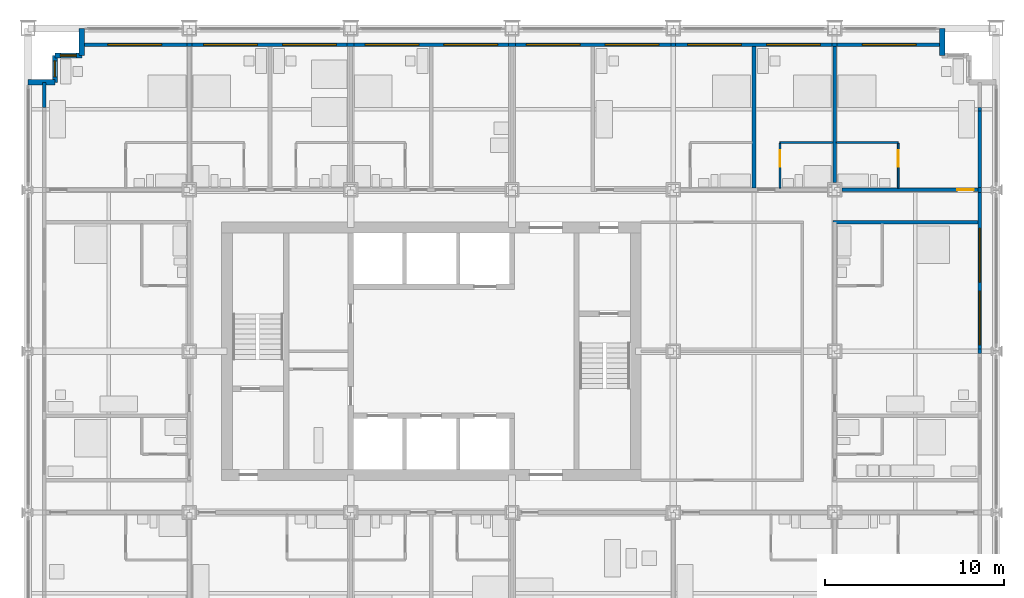
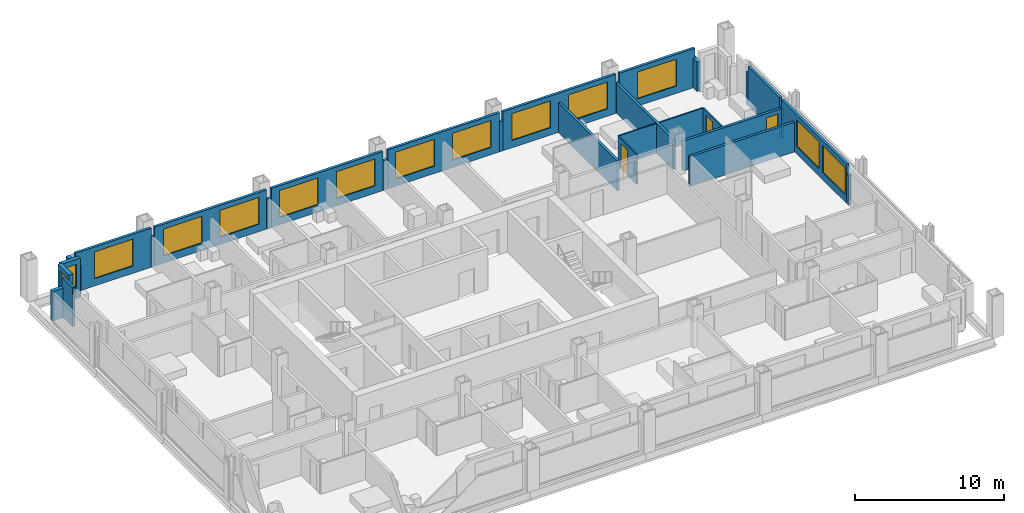
# One storey, part 14 of 18: 30 walls, 14 windows, 3 doors, 17 openings.
"""IFC4 building model written with IfcOpenShell, lengths in metres."""

from ifc_helpers import new_model, si_unit, direction, frame, frame_2d, origin, place, context, subcontext, project, spatial, rectangle, extrude, material, layer, layer_set, type_object, element, fill, save


model = new_model("IFC4")

# Units and contexts
model_context = context("Model", 3, precision=1e-05, world=origin(), true_north=direction((0.0, 1.0)))
body_context = subcontext(model_context, "Body", "Model", "MODEL_VIEW")
ifc_project = project(units=[si_unit("LENGTHUNIT", "METRE"), si_unit("AREAUNIT", "SQUARE_METRE"), si_unit("VOLUMEUNIT", "CUBIC_METRE"), si_unit("PLANEANGLEUNIT", "RADIAN"), si_unit("MASSUNIT", "GRAM", prefix="KILO")], contexts=[model_context])

# Site, building, storey
site_placement = place(None, origin())
site = spatial("IfcSite", under=ifc_project, at=site_placement, CompositionType="ELEMENT")
building_placement = place(site_placement, origin())
building = spatial("IfcBuilding", under=site, at=building_placement, Name="Loomwork Tower", CompositionType="ELEMENT")
storey_placement = place(building_placement, frame((0.0, 0.0, 65.39990234375)))
storey = spatial("IfcBuildingStorey", under=building, at=storey_placement, Name="L16", CompositionType="ELEMENT", Elevation=65.39990234375)

# Wall, opening, door
ifc_material_1 = material(Name="Gypsum board on steel studs, one-hour", Category="steel")
ifc_layer_1 = layer(ifc_material_1, 0.199951171875)
ifc_layer_set_1 = layer_set([ifc_layer_1], Name="Corridor wall 200")
wall_type_1 = type_object("IfcWallType", Name="Corridor wall 200", PredefinedType="PARTITIONING", material=ifc_layer_set_1)
wall_1_placement = place(storey_placement, frame((45.39990234375, 27.0, 0.0), z_axis=(0.0, 0.0, 1.0), x_axis=(1.0, 0.0, 0.0)))
wall_1 = element("IfcWall", 1, at=wall_1_placement, inside=storey, type_object=wall_type_1, Name="North corridor wall 6", PredefinedType="PARTITIONING", context=body_context, shape_type="SweptSolid", body=[
    extrude(rectangle(XDim=7.60009765625, YDim=0.199951171875, at=frame_2d((3.800048828125, 0.0))), origin(), (0.0, 0.0, 1.0), 2.43798828125),
])
opening_1_placement = place(wall_1_placement, frame((6.449951171875, 0.0, 0.0)))
opening_1 = element("IfcOpeningElement", 2, at=opening_1_placement, cuts=wall_1, Name="Opening D1", PredefinedType="OPENING", context=body_context, shape_type="SweptSolid", body=[
    extrude(rectangle(XDim=0.89990234375, YDim=2.10009765625, at=frame_2d((0.449951171875, 1.050048828125))), frame((0.0, 0.10986328125, 0.0), z_axis=(0.0, -1.0, 0.0), x_axis=(1.0, 0.0, 0.0)), (0.0, 0.0, 1.0), 0.219970703125),
])
ifc_material_2 = material(Name="Hollow metal door and frame")
door_type_1 = type_object("IfcDoorType", Name="Guest room entry door 900", OperationType="SINGLE_SWING_LEFT", PredefinedType="DOOR", material=ifc_material_2)
door_1_placement = place(opening_1_placement, origin())
door_1 = element("IfcDoor", 3, at=door_1_placement, inside=storey, type_object=door_type_1, Name="Guest room entry door L16 15", OperationType="SINGLE_SWING_RIGHT", OverallHeight=2.10009765625, OverallWidth=0.89990234375, PredefinedType="DOOR", context=body_context, shape_type="SweptSolid", body=[
    extrude(rectangle(XDim=0.89990234375, YDim=2.10009765625, at=frame_2d((0.449951171875, 1.050048828125))), frame((0.0, 0.02490234375, 0.0), z_axis=(0.0, -1.0, 0.0), x_axis=(1.0, 0.0, 0.0)), (0.0, 0.0, 1.0), 0.050048828125),
])
fill(opening_1, door_1)

# Walls
wall_2_placement = place(storey_placement, frame((44.89990234375, 25.199951171875, 0.0), z_axis=(0.0, 0.0, 1.0), x_axis=(1.0, 0.0, 0.0)))
element("IfcWall", 4, at=wall_2_placement, inside=storey, type_object=wall_type_1, Name="East band end wall N", PredefinedType="PARTITIONING", context=body_context, shape_type="SweptSolid", body=[
    extrude(rectangle(XDim=8.10009765625, YDim=0.199951171875, at=frame_2d((4.050048828125, 0.0))), origin(), (0.0, 0.0, 1.0), 2.43798828125),
])
ifc_material_3 = material(Name="Cement board on steel studs", Category="steel")
ifc_layer_2 = layer(ifc_material_3, 0.10009765625)
ifc_layer_set_2 = layer_set([ifc_layer_2], Name="En-suite partition 100")
wall_type_2 = type_object("IfcWallType", Name="En-suite partition 100", PredefinedType="PARTITIONING", material=ifc_layer_set_2)
wall_3_placement = place(storey_placement, frame((41.949951171875, 29.64990234375, 0.0), z_axis=(0.0, 0.0, 1.0), x_axis=(1.0, 0.0, 0.0)))
element("IfcWall", 5, at=wall_3_placement, inside=storey, type_object=wall_type_2, Name="En-suite wall L16 room 14", PredefinedType="PARTITIONING", context=body_context, shape_type="SweptSolid", body=[
    extrude(rectangle(XDim=2.949951171875, YDim=0.10009765625, at=frame_2d((1.47509765625, 0.0))), origin(), (0.0, 0.0, 1.0), 2.43798828125),
])

# Wall, opening, door
wall_4_placement = place(storey_placement, frame((41.949951171875, 27.10009765625, 0.0), z_axis=(0.0, 0.0, 1.0), x_axis=(0.0, 1.0, 0.0)))
wall_4 = element("IfcWall", 6, at=wall_4_placement, inside=storey, type_object=wall_type_2, Name="En-suite side wall L16 room 14", PredefinedType="PARTITIONING", context=body_context, shape_type="SweptSolid", body=[
    extrude(rectangle(XDim=2.5, YDim=0.10009765625, at=frame_2d((1.25, 0.0))), origin(), (0.0, 0.0, 1.0), 2.43798828125),
])
opening_2_placement = place(wall_4_placement, frame((1.199951171875, 0.0, 0.0)))
opening_2 = element("IfcOpeningElement", 7, at=opening_2_placement, cuts=wall_4, Name="Opening D3", PredefinedType="OPENING", context=body_context, shape_type="SweptSolid", body=[
    extrude(rectangle(XDim=0.89990234375, YDim=2.10009765625, at=frame_2d((0.449951171875, 1.050048828125))), frame((0.0, 0.06005859375, 0.0), z_axis=(0.0, -1.0, 0.0), x_axis=(1.0, 0.0, 0.0)), (0.0, 0.0, 1.0), 0.1201171875),
])
ifc_material_4 = material(Name="Hollow metal door and frame")
door_type_2 = type_object("IfcDoorType", Name="Accessible en-suite door 900", OperationType="SLIDING_TO_LEFT", PredefinedType="DOOR", material=ifc_material_4)
door_2_placement = place(opening_2_placement, origin())
door_2 = element("IfcDoor", 8, at=door_2_placement, inside=storey, type_object=door_type_2, Name="Accessible en-suite door room 14", OperationType="SLIDING_TO_LEFT", OverallHeight=2.10009765625, OverallWidth=0.89990234375, PredefinedType="DOOR", context=body_context, shape_type="SweptSolid", body=[
    extrude(rectangle(XDim=0.89990234375, YDim=2.10009765625, at=frame_2d((0.449951171875, 1.050048828125))), frame((0.0, 0.02490234375, 0.0), z_axis=(0.0, -1.0, 0.0), x_axis=(1.0, 0.0, 0.0)), (0.0, 0.0, 1.0), 0.050048828125),
])
fill(opening_2, door_2)

# Wall
wall_5_placement = place(storey_placement, frame((45.10009765625, 29.64990234375, 0.0), z_axis=(0.0, 0.0, 1.0), x_axis=(1.0, 0.0, 0.0)))
element("IfcWall", 9, at=wall_5_placement, inside=storey, type_object=wall_type_2, Name="En-suite wall L16 room 15", PredefinedType="PARTITIONING", context=body_context, shape_type="SweptSolid", body=[
    extrude(rectangle(XDim=3.449951171875, YDim=0.10009765625, at=frame_2d((1.72509765625, 0.0))), origin(), (0.0, 0.0, 1.0), 2.43798828125),
])

# Wall, opening, door
wall_6_placement = place(storey_placement, frame((48.550048828125, 27.10009765625, 0.0), z_axis=(0.0, 0.0, 1.0), x_axis=(0.0, 1.0, 0.0)))
wall_6 = element("IfcWall", 10, at=wall_6_placement, inside=storey, type_object=wall_type_2, Name="En-suite side wall L16 room 15", PredefinedType="PARTITIONING", context=body_context, shape_type="SweptSolid", body=[
    extrude(rectangle(XDim=2.5, YDim=0.10009765625, at=frame_2d((1.25, 0.0))), origin(), (0.0, 0.0, 1.0), 2.43798828125),
])
opening_3_placement = place(wall_6_placement, frame((1.199951171875, 0.0, 0.0)))
opening_3 = element("IfcOpeningElement", 11, at=opening_3_placement, cuts=wall_6, Name="Opening D2", PredefinedType="OPENING", context=body_context, shape_type="SweptSolid", body=[
    extrude(rectangle(XDim=0.89990234375, YDim=2.10009765625, at=frame_2d((0.449951171875, 1.050048828125))), frame((0.0, 0.06005859375, 0.0), z_axis=(0.0, -1.0, 0.0), x_axis=(1.0, 0.0, 0.0)), (0.0, 0.0, 1.0), 0.1201171875),
])
ifc_material_5 = material(Name="Hollow metal door and frame")
door_type_3 = type_object("IfcDoorType", Name="En-suite door 900", OperationType="SINGLE_SWING_LEFT", PredefinedType="DOOR", material=ifc_material_5)
door_3_placement = place(opening_3_placement, origin())
door_3 = element("IfcDoor", 12, at=door_3_placement, inside=storey, type_object=door_type_3, Name="En-suite door room 15", OperationType="SINGLE_SWING_RIGHT", OverallHeight=2.10009765625, OverallWidth=0.89990234375, PredefinedType="DOOR", context=body_context, shape_type="SweptSolid", body=[
    extrude(rectangle(XDim=0.89990234375, YDim=2.10009765625, at=frame_2d((0.449951171875, 1.050048828125))), frame((0.0, 0.02490234375, 0.0), z_axis=(0.0, -1.0, 0.0), x_axis=(1.0, 0.0, 0.0)), (0.0, 0.0, 1.0), 0.050048828125),
])
fill(opening_3, door_3)

# Walls
ifc_material_6 = material(Name="Gypsum board on steel studs, acoustic", Category="steel")
ifc_layer_3 = layer(ifc_material_6, 0.199951171875)
ifc_layer_set_3 = layer_set([ifc_layer_3], Name="Guest room party wall 200")
wall_type_3 = type_object("IfcWallType", Name="Guest room party wall 200", PredefinedType="PARTITIONING", material=ifc_layer_set_3)
wall_7_placement = place(storey_placement, frame((40.5, 27.10009765625, 0.0), z_axis=(0.0, 0.0, 1.0), x_axis=(0.0, 1.0, 0.0)))
element("IfcWall", 13, at=wall_7_placement, inside=storey, type_object=wall_type_3, Name="Guest room party wall N 40.5", PredefinedType="PARTITIONING", context=body_context, shape_type="SweptSolid", body=[
    extrude(rectangle(XDim=7.89990234375, YDim=0.199951171875, at=frame_2d((3.949951171875, 0.0))), origin(), (0.0, 0.0, 1.0), 2.43798828125),
])
wall_8_placement = place(storey_placement, frame((45.0, 27.39990234375, 0.0), z_axis=(0.0, 0.0, 1.0), x_axis=(0.0, 1.0, 0.0)))
element("IfcWall", 14, at=wall_8_placement, inside=storey, type_object=wall_type_3, Name="Guest room party wall N 45", PredefinedType="PARTITIONING", context=body_context, shape_type="SweptSolid", body=[
    extrude(rectangle(XDim=7.60009765625, YDim=0.199951171875, at=frame_2d((3.800048828125, 0.0))), origin(), (0.0, 0.0, 1.0), 2.43798828125),
])

# Wall, opening, window
ifc_material_7 = material(Name="Insulated steel stud wall with gypsum lining", Category="steel")
ifc_layer_4 = layer(ifc_material_7, 0.199951171875)
ifc_layer_set_4 = layer_set([ifc_layer_4], Name="Inner skin wall 200")
wall_type_4 = type_object("IfcWallType", Name="Inner skin wall 200", PredefinedType="SOLIDWALL", material=ifc_layer_set_4)
wall_9_placement = place(storey_placement, frame((3.0, 35.10009765625, 0.0), z_axis=(0.0, 0.0, 1.0), x_axis=(1.0, 0.0, 0.0)))
wall_9 = element("IfcWall", 15, at=wall_9_placement, inside=storey, type_object=wall_type_4, Name="Inner skin wall N", PredefinedType="SOLIDWALL", context=body_context, shape_type="SweptSolid", body=[
    extrude(rectangle(XDim=5.86474609375, YDim=0.199951171875, at=frame_2d((2.932373046875, 0.0))), origin(), (0.0, 0.0, 1.0), 3.2001953125),
])
opening_4_placement = place(wall_9_placement, frame((1.449951171875, 0.0, 0.60009765625)))
opening_4 = element("IfcOpeningElement", 16, at=opening_4_placement, cuts=wall_9, Name="Opening CH1", PredefinedType="OPENING", context=body_context, shape_type="SweptSolid", body=[
    extrude(rectangle(XDim=3.0, YDim=2.199951171875, at=frame_2d((1.5, 1.10009765625))), frame((0.0, 0.10986328125, 0.0), z_axis=(0.0, -1.0, 0.0), x_axis=(1.0, 0.0, 0.0)), (0.0, 0.0, 1.0), 0.219970703125),
])
ifc_material_8 = material(Name="Aluminium frame with clear insulated glass", Category="aluminium")
window_type_1 = type_object("IfcWindowType", Name="Chicago window 3000", PartitioningType="TRIPLE_PANEL_VERTICAL", PredefinedType="WINDOW", material=ifc_material_8)
window_1_placement = place(opening_4_placement, origin())
window_1 = element("IfcWindow", 17, at=window_1_placement, inside=storey, type_object=window_type_1, Name="Chicago window L16 bay 7", OverallHeight=2.199951171875, OverallWidth=3.0, PartitioningType="TRIPLE_PANEL_VERTICAL", PredefinedType="WINDOW", context=body_context, shape_type="SweptSolid", body=[
    extrude(rectangle(XDim=3.0, YDim=2.199951171875, at=frame_2d((1.5, 1.10009765625))), frame((0.0, 0.030029296875, 0.0), z_axis=(0.0, -1.0, 0.0), x_axis=(1.0, 0.0, 0.0)), (0.0, 0.0, 1.0), 0.06005859375),
])
fill(opening_4, window_1)

# Walls
wall_10_placement = place(storey_placement, frame((0.89990234375, 31.607421875, 0.0), z_axis=(0.0, 0.0, 1.0), x_axis=(0.0, 1.0, 0.0)))
element("IfcWall", 18, at=wall_10_placement, inside=storey, type_object=wall_type_4, Name="Inner skin wall W bay 11", PredefinedType="SOLIDWALL", context=body_context, shape_type="SweptSolid", body=[
    extrude(rectangle(XDim=1.392578125, YDim=0.199951171875, at=frame_2d((0.6962890625, 0.0))), origin(), (0.0, 0.0, 1.0), 3.2001953125),
])
wall_11_placement = place(storey_placement, frame((8.86474609375, 35.10009765625, 0.0), z_axis=(0.0, 0.0, 1.0), x_axis=(1.0, 0.0, 0.0)))
element("IfcWall", 19, at=wall_11_placement, inside=storey, type_object=wall_type_4, Name="Inner skin wall N bay 2", PredefinedType="SOLIDWALL", context=body_context, shape_type="SweptSolid", body=[
    extrude(rectangle(XDim=0.2705078125, YDim=0.199951171875, at=frame_2d((0.13525390625, 0.0))), origin(), (0.0, 0.0, 1.0), 2.43798828125),
])

# Wall, openings, windows
wall_12_placement = place(storey_placement, frame((9.13525390625, 35.10009765625, 0.0), z_axis=(0.0, 0.0, 1.0), x_axis=(1.0, 0.0, 0.0)))
wall_12 = element("IfcWall", 20, at=wall_12_placement, inside=storey, type_object=wall_type_4, Name="Inner skin wall N bay 3", PredefinedType="SOLIDWALL", context=body_context, shape_type="SweptSolid", body=[
    extrude(rectangle(XDim=8.6708984375, YDim=0.199951171875, at=frame_2d((4.33544921875, 0.0))), origin(), (0.0, 0.0, 1.0), 3.2001953125),
])
opening_5_placement = place(wall_12_placement, frame((0.664794921875, 0.0, 0.60009765625)))
opening_5 = element("IfcOpeningElement", 21, at=opening_5_placement, cuts=wall_12, Name="Opening CH1", PredefinedType="OPENING", context=body_context, shape_type="SweptSolid", body=[
    extrude(rectangle(XDim=3.0, YDim=2.199951171875, at=frame_2d((1.5, 1.10009765625))), frame((0.0, 0.10986328125, 0.0), z_axis=(0.0, -1.0, 0.0), x_axis=(1.0, 0.0, 0.0)), (0.0, 0.0, 1.0), 0.219970703125),
])
opening_6_placement = place(wall_12_placement, frame((5.064697265625, 0.0, 0.60009765625)))
opening_6 = element("IfcOpeningElement", 22, at=opening_6_placement, cuts=wall_12, Name="Opening CH1", PredefinedType="OPENING", context=body_context, shape_type="SweptSolid", body=[
    extrude(rectangle(XDim=3.0, YDim=2.199951171875, at=frame_2d((1.5, 1.10009765625))), frame((0.0, 0.10986328125, 0.0), z_axis=(0.0, -1.0, 0.0), x_axis=(1.0, 0.0, 0.0)), (0.0, 0.0, 1.0), 0.219970703125),
])
window_2_placement = place(opening_5_placement, origin())
window_2 = element("IfcWindow", 23, at=window_2_placement, inside=storey, type_object=window_type_1, Name="Chicago window L16 bay 8", OverallHeight=2.199951171875, OverallWidth=3.0, PartitioningType="TRIPLE_PANEL_VERTICAL", PredefinedType="WINDOW", context=body_context, shape_type="SweptSolid", body=[
    extrude(rectangle(XDim=3.0, YDim=2.199951171875, at=frame_2d((1.5, 1.10009765625))), frame((0.0, 0.030029296875, 0.0), z_axis=(0.0, -1.0, 0.0), x_axis=(1.0, 0.0, 0.0)), (0.0, 0.0, 1.0), 0.06005859375),
])
fill(opening_5, window_2)
window_3_placement = place(opening_6_placement, origin())
window_3 = element("IfcWindow", 24, at=window_3_placement, inside=storey, type_object=window_type_1, Name="Chicago window L16 bay 8", OverallHeight=2.199951171875, OverallWidth=3.0, PartitioningType="TRIPLE_PANEL_VERTICAL", PredefinedType="WINDOW", context=body_context, shape_type="SweptSolid", body=[
    extrude(rectangle(XDim=3.0, YDim=2.199951171875, at=frame_2d((1.5, 1.10009765625))), frame((0.0, 0.030029296875, 0.0), z_axis=(0.0, -1.0, 0.0), x_axis=(1.0, 0.0, 0.0)), (0.0, 0.0, 1.0), 0.06005859375),
])
fill(opening_6, window_3)

# Wall
wall_13_placement = place(storey_placement, frame((17.80615234375, 35.10009765625, 0.0), z_axis=(0.0, 0.0, 1.0), x_axis=(1.0, 0.0, 0.0)))
element("IfcWall", 25, at=wall_13_placement, inside=storey, type_object=wall_type_4, Name="Inner skin wall N bay 4", PredefinedType="SOLIDWALL", context=body_context, shape_type="SweptSolid", body=[
    extrude(rectangle(XDim=0.3876953125, YDim=0.199951171875, at=frame_2d((0.19384765625, 0.0))), origin(), (0.0, 0.0, 1.0), 2.404052734375),
])

# Wall, openings, windows
wall_14_placement = place(storey_placement, frame((18.19384765625, 35.10009765625, 0.0), z_axis=(0.0, 0.0, 1.0), x_axis=(1.0, 0.0, 0.0)))
wall_14 = element("IfcWall", 26, at=wall_14_placement, inside=storey, type_object=wall_type_4, Name="Inner skin wall N bay 5", PredefinedType="SOLIDWALL", context=body_context, shape_type="SweptSolid", body=[
    extrude(rectangle(XDim=8.6123046875, YDim=0.199951171875, at=frame_2d((4.30615234375, 0.0))), origin(), (0.0, 0.0, 1.0), 3.2001953125),
])
opening_7_placement = place(wall_14_placement, frame((0.606201171875, 0.0, 0.60009765625)))
opening_7 = element("IfcOpeningElement", 27, at=opening_7_placement, cuts=wall_14, Name="Opening CH1", PredefinedType="OPENING", context=body_context, shape_type="SweptSolid", body=[
    extrude(rectangle(XDim=3.0, YDim=2.199951171875, at=frame_2d((1.5, 1.10009765625))), frame((0.0, 0.10986328125, 0.0), z_axis=(0.0, -1.0, 0.0), x_axis=(1.0, 0.0, 0.0)), (0.0, 0.0, 1.0), 0.219970703125),
])
opening_8_placement = place(wall_14_placement, frame((5.006103515625, 0.0, 0.60009765625)))
opening_8 = element("IfcOpeningElement", 28, at=opening_8_placement, cuts=wall_14, Name="Opening CH1", PredefinedType="OPENING", context=body_context, shape_type="SweptSolid", body=[
    extrude(rectangle(XDim=3.0, YDim=2.199951171875, at=frame_2d((1.5, 1.10009765625))), frame((0.0, 0.10986328125, 0.0), z_axis=(0.0, -1.0, 0.0), x_axis=(1.0, 0.0, 0.0)), (0.0, 0.0, 1.0), 0.219970703125),
])
window_4_placement = place(opening_7_placement, origin())
window_4 = element("IfcWindow", 29, at=window_4_placement, inside=storey, type_object=window_type_1, Name="Chicago window L16 bay 9", OverallHeight=2.199951171875, OverallWidth=3.0, PartitioningType="TRIPLE_PANEL_VERTICAL", PredefinedType="WINDOW", context=body_context, shape_type="SweptSolid", body=[
    extrude(rectangle(XDim=3.0, YDim=2.199951171875, at=frame_2d((1.5, 1.10009765625))), frame((0.0, 0.030029296875, 0.0), z_axis=(0.0, -1.0, 0.0), x_axis=(1.0, 0.0, 0.0)), (0.0, 0.0, 1.0), 0.06005859375),
])
fill(opening_7, window_4)
window_5_placement = place(opening_8_placement, origin())
window_5 = element("IfcWindow", 30, at=window_5_placement, inside=storey, type_object=window_type_1, Name="Chicago window L16 bay 9", OverallHeight=2.199951171875, OverallWidth=3.0, PartitioningType="TRIPLE_PANEL_VERTICAL", PredefinedType="WINDOW", context=body_context, shape_type="SweptSolid", body=[
    extrude(rectangle(XDim=3.0, YDim=2.199951171875, at=frame_2d((1.5, 1.10009765625))), frame((0.0, 0.030029296875, 0.0), z_axis=(0.0, -1.0, 0.0), x_axis=(1.0, 0.0, 0.0)), (0.0, 0.0, 1.0), 0.06005859375),
])
fill(opening_8, window_5)

# Wall
wall_15_placement = place(storey_placement, frame((26.80615234375, 35.10009765625, 0.0), z_axis=(0.0, 0.0, 1.0), x_axis=(1.0, 0.0, 0.0)))
element("IfcWall", 31, at=wall_15_placement, inside=storey, type_object=wall_type_4, Name="Inner skin wall N bay 6", PredefinedType="SOLIDWALL", context=body_context, shape_type="SweptSolid", body=[
    extrude(rectangle(XDim=0.3876953125, YDim=0.199951171875, at=frame_2d((0.19384765625, 0.0))), origin(), (0.0, 0.0, 1.0), 2.404052734375),
])

# Wall, openings, windows
wall_16_placement = place(storey_placement, frame((27.19384765625, 35.10009765625, 0.0), z_axis=(0.0, 0.0, 1.0), x_axis=(1.0, 0.0, 0.0)))
wall_16 = element("IfcWall", 32, at=wall_16_placement, inside=storey, type_object=wall_type_4, Name="Inner skin wall N bay 7", PredefinedType="SOLIDWALL", context=body_context, shape_type="SweptSolid", body=[
    extrude(rectangle(XDim=8.670654296875, YDim=0.199951171875, at=frame_2d((4.33544921875, 0.0))), origin(), (0.0, 0.0, 1.0), 3.2001953125),
])
opening_9_placement = place(wall_16_placement, frame((0.606201171875, 0.0, 0.60009765625)))
opening_9 = element("IfcOpeningElement", 33, at=opening_9_placement, cuts=wall_16, Name="Opening CH1", PredefinedType="OPENING", context=body_context, shape_type="SweptSolid", body=[
    extrude(rectangle(XDim=3.0, YDim=2.199951171875, at=frame_2d((1.5, 1.10009765625))), frame((0.0, 0.10986328125, 0.0), z_axis=(0.0, -1.0, 0.0), x_axis=(1.0, 0.0, 0.0)), (0.0, 0.0, 1.0), 0.219970703125),
])
opening_10_placement = place(wall_16_placement, frame((5.006103515625, 0.0, 0.60009765625)))
opening_10 = element("IfcOpeningElement", 34, at=opening_10_placement, cuts=wall_16, Name="Opening CH1", PredefinedType="OPENING", context=body_context, shape_type="SweptSolid", body=[
    extrude(rectangle(XDim=3.0, YDim=2.199951171875, at=frame_2d((1.5, 1.10009765625))), frame((0.0, 0.10986328125, 0.0), z_axis=(0.0, -1.0, 0.0), x_axis=(1.0, 0.0, 0.0)), (0.0, 0.0, 1.0), 0.219970703125),
])
window_6_placement = place(opening_9_placement, origin())
window_6 = element("IfcWindow", 35, at=window_6_placement, inside=storey, type_object=window_type_1, Name="Chicago window L16 bay 10", OverallHeight=2.199951171875, OverallWidth=3.0, PartitioningType="TRIPLE_PANEL_VERTICAL", PredefinedType="WINDOW", context=body_context, shape_type="SweptSolid", body=[
    extrude(rectangle(XDim=3.0, YDim=2.199951171875, at=frame_2d((1.5, 1.10009765625))), frame((0.0, 0.030029296875, 0.0), z_axis=(0.0, -1.0, 0.0), x_axis=(1.0, 0.0, 0.0)), (0.0, 0.0, 1.0), 0.06005859375),
])
fill(opening_9, window_6)
window_7_placement = place(opening_10_placement, origin())
window_7 = element("IfcWindow", 36, at=window_7_placement, inside=storey, type_object=window_type_1, Name="Chicago window L16 bay 10", OverallHeight=2.199951171875, OverallWidth=3.0, PartitioningType="TRIPLE_PANEL_VERTICAL", PredefinedType="WINDOW", context=body_context, shape_type="SweptSolid", body=[
    extrude(rectangle(XDim=3.0, YDim=2.199951171875, at=frame_2d((1.5, 1.10009765625))), frame((0.0, 0.030029296875, 0.0), z_axis=(0.0, -1.0, 0.0), x_axis=(1.0, 0.0, 0.0)), (0.0, 0.0, 1.0), 0.06005859375),
])
fill(opening_10, window_7)

# Wall
wall_17_placement = place(storey_placement, frame((35.864501953125, 35.10009765625, 0.0), z_axis=(0.0, 0.0, 1.0), x_axis=(1.0, 0.0, 0.0)))
element("IfcWall", 37, at=wall_17_placement, inside=storey, type_object=wall_type_4, Name="Inner skin wall N bay 8", PredefinedType="SOLIDWALL", context=body_context, shape_type="SweptSolid", body=[
    extrude(rectangle(XDim=0.27099609375, YDim=0.199951171875, at=frame_2d((0.135498046875, 0.0))), origin(), (0.0, 0.0, 1.0), 2.43798828125),
])

# Wall, openings, windows
wall_18_placement = place(storey_placement, frame((36.135498046875, 35.10009765625, 0.0), z_axis=(0.0, 0.0, 1.0), x_axis=(1.0, 0.0, 0.0)))
wall_18 = element("IfcWall", 38, at=wall_18_placement, inside=storey, type_object=wall_type_4, Name="Inner skin wall N bay 9", PredefinedType="SOLIDWALL", context=body_context, shape_type="SweptSolid", body=[
    extrude(rectangle(XDim=8.72900390625, YDim=0.199951171875, at=frame_2d((4.364501953125, 0.0))), origin(), (0.0, 0.0, 1.0), 3.2001953125),
])
opening_11_placement = place(wall_18_placement, frame((0.66455078125, 0.0, 0.60009765625)))
opening_11 = element("IfcOpeningElement", 39, at=opening_11_placement, cuts=wall_18, Name="Opening CH1", PredefinedType="OPENING", context=body_context, shape_type="SweptSolid", body=[
    extrude(rectangle(XDim=3.0, YDim=2.199951171875, at=frame_2d((1.5, 1.10009765625))), frame((0.0, 0.10986328125, 0.0), z_axis=(0.0, -1.0, 0.0), x_axis=(1.0, 0.0, 0.0)), (0.0, 0.0, 1.0), 0.219970703125),
])
opening_12_placement = place(wall_18_placement, frame((5.064697265625, 0.0, 0.60009765625)))
opening_12 = element("IfcOpeningElement", 40, at=opening_12_placement, cuts=wall_18, Name="Opening CH1", PredefinedType="OPENING", context=body_context, shape_type="SweptSolid", body=[
    extrude(rectangle(XDim=3.0, YDim=2.199951171875, at=frame_2d((1.5, 1.10009765625))), frame((0.0, 0.10986328125, 0.0), z_axis=(0.0, -1.0, 0.0), x_axis=(1.0, 0.0, 0.0)), (0.0, 0.0, 1.0), 0.219970703125),
])
window_8_placement = place(opening_11_placement, origin())
window_8 = element("IfcWindow", 41, at=window_8_placement, inside=storey, type_object=window_type_1, Name="Chicago window L16 bay 11", OverallHeight=2.199951171875, OverallWidth=3.0, PartitioningType="TRIPLE_PANEL_VERTICAL", PredefinedType="WINDOW", context=body_context, shape_type="SweptSolid", body=[
    extrude(rectangle(XDim=3.0, YDim=2.199951171875, at=frame_2d((1.5, 1.10009765625))), frame((0.0, 0.030029296875, 0.0), z_axis=(0.0, -1.0, 0.0), x_axis=(1.0, 0.0, 0.0)), (0.0, 0.0, 1.0), 0.06005859375),
])
fill(opening_11, window_8)
window_9_placement = place(opening_12_placement, origin())
window_9 = element("IfcWindow", 42, at=window_9_placement, inside=storey, type_object=window_type_1, Name="Chicago window L16 bay 11", OverallHeight=2.199951171875, OverallWidth=3.0, PartitioningType="TRIPLE_PANEL_VERTICAL", PredefinedType="WINDOW", context=body_context, shape_type="SweptSolid", body=[
    extrude(rectangle(XDim=3.0, YDim=2.199951171875, at=frame_2d((1.5, 1.10009765625))), frame((0.0, 0.030029296875, 0.0), z_axis=(0.0, -1.0, 0.0), x_axis=(1.0, 0.0, 0.0)), (0.0, 0.0, 1.0), 0.06005859375),
])
fill(opening_12, window_9)

# Wall
wall_19_placement = place(storey_placement, frame((44.864501953125, 35.10009765625, 0.0), z_axis=(0.0, 0.0, 1.0), x_axis=(1.0, 0.0, 0.0)))
element("IfcWall", 43, at=wall_19_placement, inside=storey, type_object=wall_type_4, Name="Inner skin wall N bay 10", PredefinedType="SOLIDWALL", context=body_context, shape_type="SweptSolid", body=[
    extrude(rectangle(XDim=0.27099609375, YDim=0.199951171875, at=frame_2d((0.135498046875, 0.0))), origin(), (0.0, 0.0, 1.0), 2.43798828125),
])

# Wall, opening, window
wall_20_placement = place(storey_placement, frame((45.135498046875, 35.10009765625, 0.0), z_axis=(0.0, 0.0, 1.0), x_axis=(1.0, 0.0, 0.0)))
wall_20 = element("IfcWall", 44, at=wall_20_placement, inside=storey, type_object=wall_type_4, Name="Inner skin wall N bay 11", PredefinedType="SOLIDWALL", context=body_context, shape_type="SweptSolid", body=[
    extrude(rectangle(XDim=5.864501953125, YDim=0.199951171875, at=frame_2d((2.93212890625, 0.0))), origin(), (0.0, 0.0, 1.0), 3.2001953125),
])
opening_13_placement = place(wall_20_placement, frame((1.41455078125, 0.0, 0.60009765625)))
opening_13 = element("IfcOpeningElement", 45, at=opening_13_placement, cuts=wall_20, Name="Opening CH1", PredefinedType="OPENING", context=body_context, shape_type="SweptSolid", body=[
    extrude(rectangle(XDim=3.0, YDim=2.199951171875, at=frame_2d((1.5, 1.10009765625))), frame((0.0, 0.10986328125, 0.0), z_axis=(0.0, -1.0, 0.0), x_axis=(1.0, 0.0, 0.0)), (0.0, 0.0, 1.0), 0.219970703125),
])
window_10_placement = place(opening_13_placement, origin())
window_10 = element("IfcWindow", 46, at=window_10_placement, inside=storey, type_object=window_type_1, Name="Chicago window L16 bay 12", OverallHeight=2.199951171875, OverallWidth=3.0, PartitioningType="TRIPLE_PANEL_VERTICAL", PredefinedType="WINDOW", context=body_context, shape_type="SweptSolid", body=[
    extrude(rectangle(XDim=3.0, YDim=2.199951171875, at=frame_2d((1.5, 1.10009765625))), frame((0.0, 0.030029296875, 0.0), z_axis=(0.0, -1.0, 0.0), x_axis=(1.0, 0.0, 0.0)), (0.0, 0.0, 1.0), 0.06005859375),
])
fill(opening_13, window_10)

# Wall
wall_21_placement = place(storey_placement, frame((53.10009765625, 17.864501953125, 0.0), z_axis=(0.0, 0.0, 1.0), x_axis=(0.0, 1.0, 0.0)))
element("IfcWall", 47, at=wall_21_placement, inside=storey, type_object=wall_type_4, Name="Inner skin wall E bay 6", PredefinedType="SOLIDWALL", context=body_context, shape_type="SweptSolid", body=[
    extrude(rectangle(XDim=0.27099609375, YDim=0.199951171875, at=frame_2d((0.135498046875, 0.0))), origin(), (0.0, 0.0, 1.0), 2.43798828125),
])

# Wall, openings, windows
wall_22_placement = place(storey_placement, frame((53.10009765625, 18.135498046875, 0.0), z_axis=(0.0, 0.0, 1.0), x_axis=(0.0, 1.0, 0.0)))
wall_22 = element("IfcWall", 48, at=wall_22_placement, inside=storey, type_object=wall_type_4, Name="Inner skin wall E bay 7", PredefinedType="SOLIDWALL", context=body_context, shape_type="SweptSolid", body=[
    extrude(rectangle(XDim=8.729248046875, YDim=0.199951171875, at=frame_2d((4.36474609375, 0.0))), origin(), (0.0, 0.0, 1.0), 3.2001953125),
])
opening_14_placement = place(wall_22_placement, frame((0.214599609375, 0.0, 0.60009765625)))
opening_14 = element("IfcOpeningElement", 49, at=opening_14_placement, cuts=wall_22, Name="Opening CH1", PredefinedType="OPENING", context=body_context, shape_type="SweptSolid", body=[
    extrude(rectangle(XDim=3.0, YDim=2.199951171875, at=frame_2d((1.5, 1.10009765625))), frame((0.0, 0.10986328125, 0.0), z_axis=(0.0, -1.0, 0.0), x_axis=(1.0, 0.0, 0.0)), (0.0, 0.0, 1.0), 0.219970703125),
])
opening_15_placement = place(wall_22_placement, frame((3.714599609375, 0.0, 0.60009765625)))
opening_15 = element("IfcOpeningElement", 50, at=opening_15_placement, cuts=wall_22, Name="Opening CH1", PredefinedType="OPENING", context=body_context, shape_type="SweptSolid", body=[
    extrude(rectangle(XDim=3.0, YDim=2.199951171875, at=frame_2d((1.5, 1.10009765625))), frame((0.0, 0.10986328125, 0.0), z_axis=(0.0, -1.0, 0.0), x_axis=(1.0, 0.0, 0.0)), (0.0, 0.0, 1.0), 0.219970703125),
])
window_11_placement = place(opening_14_placement, origin())
window_11 = element("IfcWindow", 51, at=window_11_placement, inside=storey, type_object=window_type_1, Name="Chicago window L16 bay 16", OverallHeight=2.199951171875, OverallWidth=3.0, PartitioningType="TRIPLE_PANEL_VERTICAL", PredefinedType="WINDOW", context=body_context, shape_type="SweptSolid", body=[
    extrude(rectangle(XDim=3.0, YDim=2.199951171875, at=frame_2d((1.5, 1.10009765625))), frame((0.0, 0.030029296875, 0.0), z_axis=(0.0, -1.0, 0.0), x_axis=(1.0, 0.0, 0.0)), (0.0, 0.0, 1.0), 0.06005859375),
])
fill(opening_14, window_11)
window_12_placement = place(opening_15_placement, origin())
window_12 = element("IfcWindow", 52, at=window_12_placement, inside=storey, type_object=window_type_1, Name="Chicago window L16 bay 16", OverallHeight=2.199951171875, OverallWidth=3.0, PartitioningType="TRIPLE_PANEL_VERTICAL", PredefinedType="WINDOW", context=body_context, shape_type="SweptSolid", body=[
    extrude(rectangle(XDim=3.0, YDim=2.199951171875, at=frame_2d((1.5, 1.10009765625))), frame((0.0, 0.030029296875, 0.0), z_axis=(0.0, -1.0, 0.0), x_axis=(1.0, 0.0, 0.0)), (0.0, 0.0, 1.0), 0.06005859375),
])
fill(opening_15, window_12)

# Walls
wall_23_placement = place(storey_placement, frame((53.10009765625, 26.86474609375, 0.0), z_axis=(0.0, 0.0, 1.0), x_axis=(0.0, 1.0, 0.0)))
element("IfcWall", 53, at=wall_23_placement, inside=storey, type_object=wall_type_4, Name="Inner skin wall E bay 8", PredefinedType="SOLIDWALL", context=body_context, shape_type="SweptSolid", body=[
    extrude(rectangle(XDim=0.2705078125, YDim=0.199951171875, at=frame_2d((0.13525390625, 0.0))), origin(), (0.0, 0.0, 1.0), 2.43798828125),
])
wall_24_placement = place(storey_placement, frame((53.10009765625, 27.13525390625, 0.0), z_axis=(0.0, 0.0, 1.0), x_axis=(0.0, 1.0, 0.0)))
element("IfcWall", 54, at=wall_24_placement, inside=storey, type_object=wall_type_4, Name="Inner skin wall E bay 9", PredefinedType="SOLIDWALL", context=body_context, shape_type="SweptSolid", body=[
    extrude(rectangle(XDim=4.25732421875, YDim=0.199951171875, at=frame_2d((2.128662109375, 0.0))), origin(), (0.0, 0.0, 1.0), 3.2001953125),
])
wall_25_placement = place(storey_placement, frame((53.10009765625, 31.392578125, 0.0), z_axis=(0.0, 0.0, 1.0), x_axis=(0.0, 1.0, 0.0)))
element("IfcWall", 55, at=wall_25_placement, inside=storey, type_object=wall_type_4, Name="Inner skin wall E bay 10", PredefinedType="SOLIDWALL", context=body_context, shape_type="SweptSolid", body=[
    extrude(rectangle(XDim=0.21484375, YDim=0.199951171875, at=frame_2d((0.107421875, 0.0))), origin(), (0.0, 0.0, 1.0), 2.6611328125),
])
ifc_material_9 = material(Name="Limestone on concrete masonry", Category="masonry")
ifc_layer_5 = layer(ifc_material_9, 0.300048828125)
ifc_layer_set_5 = layer_set([ifc_layer_5], Name="Limestone corner wall 300")
wall_type_5 = type_object("IfcWallType", Name="Limestone corner wall 300", PredefinedType="SOLIDWALL", material=ifc_layer_set_5)
for number, where, z_axis, x_axis, name in (
    (56, (51.0, 34.5, 0.0), (0.0, 0.0, 1.0), (0.0, 1.0, 0.0), "Stone corner wall NE 4"),
    (57, (3.0, 36.0, 0.0), (0.0, 0.0, 1.0), (0.0, -1.0, 0.0), "Stone corner wall NW 1"),
):
    element("IfcWall", number, at=place(storey_placement, frame(where, z_axis=z_axis, x_axis=x_axis)), inside=storey, type_object=wall_type_5, Name=name, PredefinedType="SOLIDWALL", context=body_context, shape_type="SweptSolid", body=[
        extrude(rectangle(XDim=1.5, YDim=0.300048828125, at=frame_2d((0.75, 0.0))), origin(), (0.0, 0.0, 1.0), 2.420166015625),
    ])

# Wall, opening, window
wall_26_placement = place(storey_placement, frame((3.0, 34.5, 0.0), z_axis=(0.0, 0.0, 1.0), x_axis=(-1.0, 0.0, 0.0)))
wall_26 = element("IfcWall", 58, at=wall_26_placement, inside=storey, type_object=wall_type_5, Name="Stone corner wall NW 2", PredefinedType="SOLIDWALL", context=body_context, shape_type="SweptSolid", body=[
    extrude(rectangle(XDim=1.5, YDim=0.300048828125, at=frame_2d((0.75, 0.0))), origin(), (0.0, 0.0, 1.0), 3.2001953125),
])
opening_16_placement = place(wall_26_placement, frame((0.300048828125, 0.0, 0.60009765625)))
opening_16 = element("IfcOpeningElement", 59, at=opening_16_placement, cuts=wall_26, Name="Opening CH2", PredefinedType="OPENING", context=body_context, shape_type="SweptSolid", body=[
    extrude(rectangle(XDim=0.89990234375, YDim=2.199951171875, at=frame_2d((0.449951171875, 1.10009765625))), frame((0.0, 0.159912109375, 0.0), z_axis=(0.0, -1.0, 0.0), x_axis=(1.0, 0.0, 0.0)), (0.0, 0.0, 1.0), 0.320068359375),
])
ifc_material_10 = material(Name="Aluminium frame with clear insulated glass", Category="aluminium")
window_type_2 = type_object("IfcWindowType", Name="Corner window 900", PartitioningType="SINGLE_PANEL", PredefinedType="WINDOW", material=ifc_material_10)
window_13_placement = place(opening_16_placement, origin())
window_13 = element("IfcWindow", 60, at=window_13_placement, inside=storey, type_object=window_type_2, Name="Corner window NW", OverallHeight=2.199951171875, OverallWidth=0.89990234375, PartitioningType="SINGLE_PANEL", PredefinedType="WINDOW", context=body_context, shape_type="SweptSolid", body=[
    extrude(rectangle(XDim=0.89990234375, YDim=2.199951171875, at=frame_2d((0.449951171875, 1.10009765625))), frame((0.0, 0.030029296875, 0.0), z_axis=(0.0, -1.0, 0.0), x_axis=(1.0, 0.0, 0.0)), (0.0, 0.0, 1.0), 0.06005859375),
])
fill(opening_16, window_13)

wall_27_placement = place(storey_placement, frame((1.5, 34.5, 0.0), z_axis=(0.0, 0.0, 1.0), x_axis=(0.0, -1.0, 0.0)))
wall_27 = element("IfcWall", 61, at=wall_27_placement, inside=storey, type_object=wall_type_5, Name="Stone corner wall NW 3", PredefinedType="SOLIDWALL", context=body_context, shape_type="SweptSolid", body=[
    extrude(rectangle(XDim=1.5, YDim=0.300048828125, at=frame_2d((0.75, 0.0))), origin(), (0.0, 0.0, 1.0), 3.2001953125),
])
opening_17_placement = place(wall_27_placement, frame((0.300048828125, 0.0, 0.60009765625)))
opening_17 = element("IfcOpeningElement", 62, at=opening_17_placement, cuts=wall_27, Name="Opening CH2", PredefinedType="OPENING", context=body_context, shape_type="SweptSolid", body=[
    extrude(rectangle(XDim=0.89990234375, YDim=2.199951171875, at=frame_2d((0.449951171875, 1.10009765625))), frame((0.0, 0.159912109375, 0.0), z_axis=(0.0, -1.0, 0.0), x_axis=(1.0, 0.0, 0.0)), (0.0, 0.0, 1.0), 0.320068359375),
])
window_14_placement = place(opening_17_placement, origin())
window_14 = element("IfcWindow", 63, at=window_14_placement, inside=storey, type_object=window_type_2, Name="Corner window NW", OverallHeight=2.199951171875, OverallWidth=0.89990234375, PartitioningType="SINGLE_PANEL", PredefinedType="WINDOW", context=body_context, shape_type="SweptSolid", body=[
    extrude(rectangle(XDim=0.89990234375, YDim=2.199951171875, at=frame_2d((0.449951171875, 1.10009765625))), frame((0.0, 0.030029296875, 0.0), z_axis=(0.0, -1.0, 0.0), x_axis=(1.0, 0.0, 0.0)), (0.0, 0.0, 1.0), 0.06005859375),
])
fill(opening_17, window_14)

# Wall
wall_28_placement = place(storey_placement, frame((1.5, 33.0, 0.0), z_axis=(0.0, 0.0, 1.0), x_axis=(-1.0, 0.0, 0.0)))
element("IfcWall", 64, at=wall_28_placement, inside=storey, type_object=wall_type_5, Name="Stone corner wall NW 4", PredefinedType="SOLIDWALL", context=body_context, shape_type="SweptSolid", body=[
    extrude(rectangle(XDim=1.5, YDim=0.300048828125, at=frame_2d((0.75, 0.0))), origin(), (0.0, 0.0, 1.0), 2.420166015625),
])

save(model, "model.ifc")
